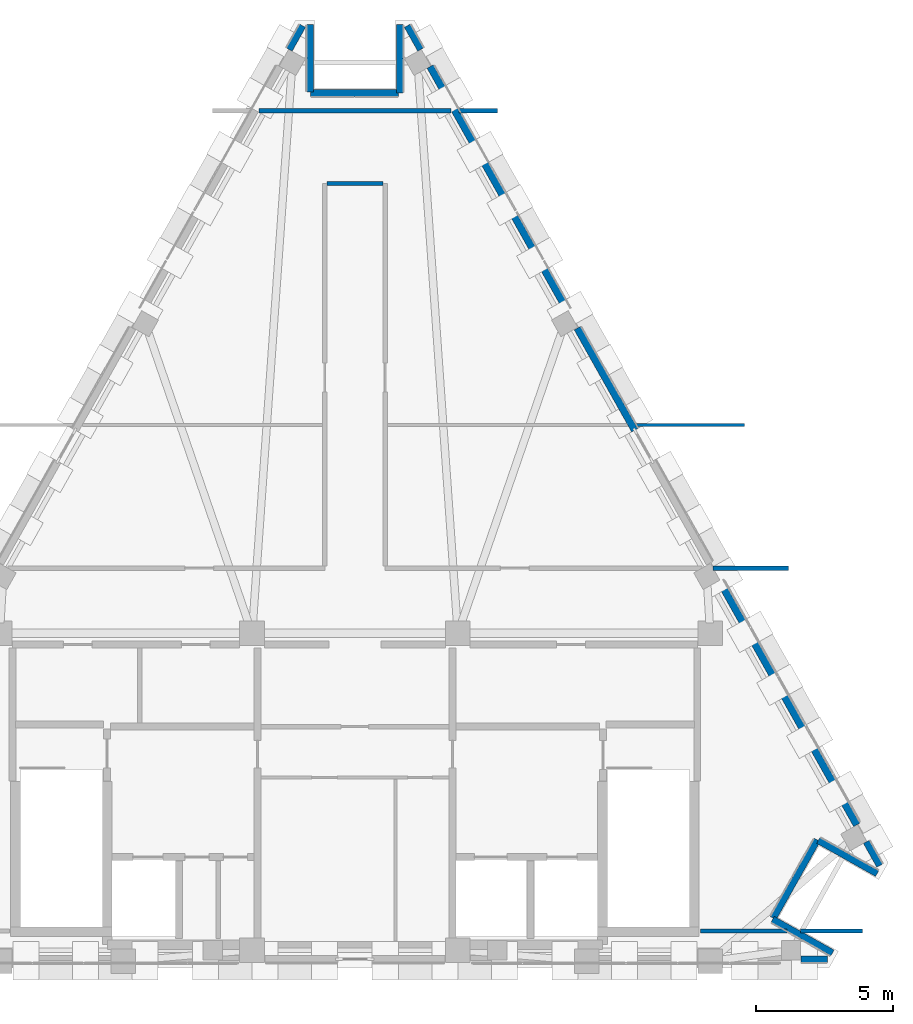
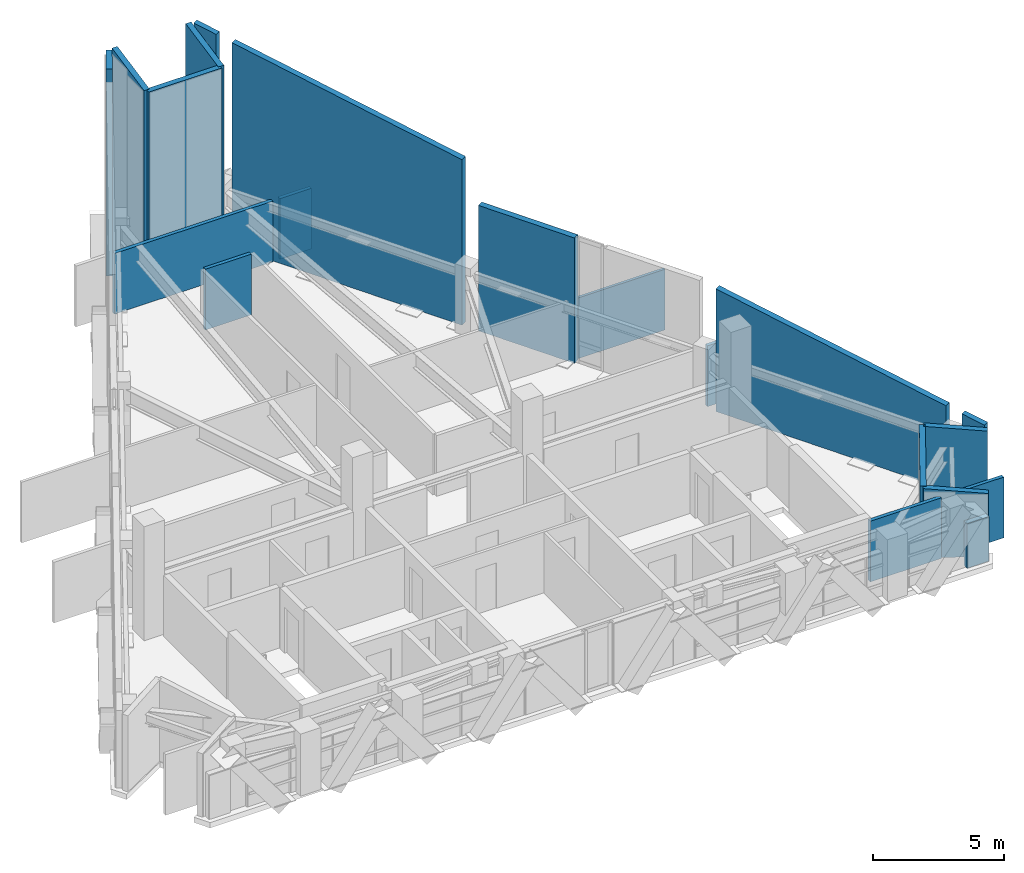
# One storey, part 5 of 7: 20 walls.
"""IFC4 building model written with IfcOpenShell, lengths in metres."""

from ifc_helpers import new_model, si_unit, direction, frame, frame_2d, origin, place, context, subcontext, project, spatial, polyline, rectangle, outline, extrude, material, layer, layer_set, type_object, element, save


model = new_model("IFC4")

# Units and contexts
model_context = context("Model", 3, precision=1e-05, world=origin(), true_north=direction((0.0, 1.0)))
body_context = subcontext(model_context, "Body", "Model", "MODEL_VIEW")
ifc_project = project(units=[si_unit("LENGTHUNIT", "METRE"), si_unit("AREAUNIT", "SQUARE_METRE"), si_unit("VOLUMEUNIT", "CUBIC_METRE"), si_unit("PLANEANGLEUNIT", "RADIAN"), si_unit("MASSUNIT", "GRAM", prefix="KILO")], contexts=[model_context])

# Site, building, storey
site_placement = place(None, origin())
site = spatial("IfcSite", under=ifc_project, at=site_placement, CompositionType="ELEMENT")
building_placement = place(site_placement, origin())
building = spatial("IfcBuilding", under=site, at=building_placement, Name="Quenlor Broadcast Tower", CompositionType="ELEMENT")
storey_placement = place(building_placement, frame((0.0, 0.0, 286.89990234375)))
storey = spatial("IfcBuildingStorey", under=building, at=storey_placement, Name="L80", CompositionType="ELEMENT", Elevation=286.89990234375)

# Walls
ifc_material_1 = material(Name="Gypsum Fireboard Partition", Category="other")
ifc_layer_1 = layer(ifc_material_1, 0.159912109375)
ifc_layer_set_1 = layer_set([ifc_layer_1], Name="Fire Rated Shaft and Corridor Partition 160")
wall_type_1 = type_object("IfcWallType", Name="Fire Rated Shaft and Corridor Partition 160", PredefinedType="PARTITIONING", material=ifc_layer_set_1)
wall_1_placement = place(storey_placement, frame((-3.49755859375, 14.25, 0.0), z_axis=(0.0, 0.0, 1.0), x_axis=(1.0, 0.0, 0.0)))
element("IfcWall", 1, at=wall_1_placement, inside=storey, type_object=wall_type_1, Name="L80 Interior Wall PW-PL-NTOPS2", PredefinedType="PARTITIONING", context=body_context, shape_type="SweptSolid", body=[
    extrude(rectangle(XDim=6.9951171875, YDim=0.159912109375, at=frame_2d((3.49755859375, 0.0))), origin(), (0.0, 0.0, 1.0), 2.8330078125),
])
wall_2_placement = place(storey_placement, frame((3.80029296875, 14.25, 0.0), z_axis=(0.0, 0.0, 1.0), x_axis=(1.0, 0.0, 0.0)))
element("IfcWall", 2, at=wall_2_placement, inside=storey, type_object=wall_type_1, Name="L80 Interior Wall PW-PL-NTOPS3", PredefinedType="PARTITIONING", context=body_context, shape_type="SweptSolid", body=[
    extrude(rectangle(XDim=1.399658203125, YDim=0.159912109375, at=frame_2d((0.69970703125, 0.0))), origin(), (0.0, 0.0, 1.0), 2.8330078125),
])
wall_3_placement = place(storey_placement, frame((12.60009765625, -15.64990234375, 0.0), z_axis=(0.0, 0.0, 1.0), x_axis=(1.0, 0.0, 0.0)))
element("IfcWall", 3, at=wall_3_placement, inside=storey, type_object=wall_type_1, Name="L80 Interior Wall PW-PL-SBOTE", PredefinedType="PARTITIONING", context=body_context, shape_type="SweptSolid", body=[
    extrude(rectangle(XDim=3.142822265625, YDim=0.159912109375, at=frame_2d((1.5712890625, 0.0))), origin(), (0.0, 0.0, 1.0), 2.8330078125),
])
wall_4_placement = place(storey_placement, frame((16.240478515625, -15.64990234375, 0.0), z_axis=(0.0, 0.0, 1.0), x_axis=(1.0, 0.0, 0.0)))
element("IfcWall", 4, at=wall_4_placement, inside=storey, type_object=wall_type_1, Name="L80 Interior Wall PW-PL-SBOTES2", PredefinedType="PARTITIONING", context=body_context, shape_type="SweptSolid", body=[
    extrude(rectangle(XDim=2.259521484375, YDim=0.159912109375, at=frame_2d((1.1298828125, 0.0))), origin(), (0.0, 0.0, 1.0), 2.8330078125),
])
wall_5_placement = place(storey_placement, frame((13.056884765625, -2.419921875, 0.0), z_axis=(0.0, 0.0, 1.0), x_axis=(1.0, 0.0, 0.0)))
element("IfcWall", 5, at=wall_5_placement, inside=storey, type_object=wall_type_1, Name="L80 Interior Wall PW-PL-HES2", PredefinedType="PARTITIONING", context=body_context, shape_type="SweptSolid", body=[
    extrude(rectangle(XDim=2.7431640625, YDim=0.159912109375, at=frame_2d((1.37158203125, 0.0))), origin(), (0.0, 0.0, 1.0), 2.8330078125),
])
wall_6_placement = place(storey_placement, frame((-1.01806640625, 11.60009765625, 0.0), z_axis=(0.0, 0.0, 1.0), x_axis=(1.0, 0.0, 0.0)))
element("IfcWall", 6, at=wall_6_placement, inside=storey, type_object=wall_type_1, Name="L80 Interior Wall PW-PL-N", PredefinedType="PARTITIONING", context=body_context, shape_type="SweptSolid", body=[
    extrude(rectangle(XDim=2.0361328125, YDim=0.159912109375, at=frame_2d((1.01806640625, 0.0))), origin(), (0.0, 0.0, 1.0), 2.8330078125),
])
ifc_material_2 = material(Name="Gypsum Plasterboard Partition", Category="other")
ifc_layer_2 = layer(ifc_material_2, 0.1201171875)
ifc_layer_set_2 = layer_set([ifc_layer_2], Name="Standard Office Partition 120")
wall_type_2 = type_object("IfcWallType", Name="Standard Office Partition 120", PredefinedType="PARTITIONING", material=ifc_layer_set_2)
wall_7_placement = place(storey_placement, frame((10.240966796875, 2.800048828125, 0.0), z_axis=(0.0, 0.0, 1.0), x_axis=(1.0, 0.0, 0.0)))
element("IfcWall", 7, at=wall_7_placement, inside=storey, type_object=wall_type_2, Name="L80 Interior Wall PW-PL-YES2", PredefinedType="PARTITIONING", context=body_context, shape_type="SweptSolid", body=[
    extrude(rectangle(XDim=3.958984375, YDim=0.1201171875, at=frame_2d((1.9794921875, 0.0))), origin(), (0.0, 0.0, 1.0), 2.8330078125),
])
ifc_material_3 = material(Name="Precast concrete C40/50", Category="concrete")
ifc_layer_3 = layer(ifc_material_3, 0.239990234375)
ifc_layer_set_3 = layer_set([ifc_layer_3], Name="Terrace Threshold Precast Concrete C40/50 Wall 240")
wall_type_3 = type_object("IfcWallType", Name="Terrace Threshold Precast Concrete C40/50 Wall 240", PredefinedType="STANDARD", material=ifc_layer_set_3)
wall_8_placement = place(storey_placement, frame((17.219970703125, -16.675048828125, 0.0), z_axis=(0.0, 0.0, 1.0), x_axis=(-1.0, 0.0, 0.0)))
element("IfcWall", 8, at=wall_8_placement, inside=storey, type_object=wall_type_3, Name="L80 Exterior Wall L80-SHD-SS0", PredefinedType="STANDARD", context=body_context, shape_type="SweptSolid", body=[
    extrude(outline(polyline([(0.0, 0.0), (0.96728515625, 0.0), (0.96728515625, 2.080078125), (0.0, 2.080078125), (0.0, 0.0)])), frame((0.0, 0.1201171875, 0.0), z_axis=(0.0, -1.0, 0.0), x_axis=(1.0, 0.0, 0.0)), (0.0, 0.0, 1.0), 0.239990234375),
])
wall_9_placement = place(storey_placement, frame((1.906005859375, 17.348388671875, 0.0), z_axis=(0.0, 0.0, 1.0), x_axis=(0.490261239633, -0.871575537125, 0.0)))
element("IfcWall", 9, at=wall_9_placement, inside=storey, type_object=wall_type_3, Name="L80 Exterior Wall L80-SHD-NES0", PredefinedType="STANDARD", context=body_context, shape_type="SweptSolid", body=[
    extrude(outline(polyline([(0.0, 0.0), (0.994873046875, 0.0), (0.994873046875, 9.661865234375), (0.0, 9.83837890625), (0.0, 0.0)])), frame((0.0, 0.1201171875, 0.0), z_axis=(0.0, -1.0, 0.0), x_axis=(1.0, 0.0, 0.0)), (0.0, 0.0, 1.0), 0.239990234375),
])
wall_10_placement = place(storey_placement, frame((18.639404296875, -12.39990234375, 0.0), z_axis=(0.0, 0.0, 1.0), x_axis=(0.490261239633, -0.871575537125, 0.0)))
element("IfcWall", 10, at=wall_10_placement, inside=storey, type_object=wall_type_3, Name="L80 Exterior Wall L80-SHD-NES1", PredefinedType="STANDARD", context=body_context, shape_type="SweptSolid", body=[
    extrude(outline(polyline([(0.0, 0.0), (0.994873046875, 0.0), (0.994873046875, 3.609619140625), (0.0, 3.785888671875), (0.0, 0.0)])), frame((0.0, 0.1201171875, 0.0), z_axis=(0.0, -1.0, 0.0), x_axis=(1.0, 0.0, 0.0)), (0.0, 0.0, 1.0), 0.239990234375),
])
wall_11_placement = place(storey_placement, frame((-2.393798828125, 16.481201171875, 0.0), z_axis=(0.0, 0.0, 1.0), x_axis=(0.490261239633, 0.871575537125, 0.0)))
element("IfcWall", 11, at=wall_11_placement, inside=storey, type_object=wall_type_3, Name="L80 Exterior Wall L80-SHD-NWS1", PredefinedType="STANDARD", context=body_context, shape_type="SweptSolid", body=[
    extrude(outline(polyline([(0.0, 0.0), (0.994873046875, 0.0), (0.994873046875, 9.83837890625), (0.0, 9.661865234375), (0.0, 0.0)])), frame((0.0, 0.1201171875, 0.0), z_axis=(0.0, -1.0, 0.0), x_axis=(1.0, 0.0, 0.0)), (0.0, 0.0, 1.0), 0.239990234375),
])
ifc_material_4 = material(Name="Precast concrete C40/50", Category="concrete")
ifc_layer_4 = layer(ifc_material_4, 0.260009765625)
ifc_layer_set_4 = layer_set([ifc_layer_4], Name="Terracotta Precast Concrete C40/50 Upper Wall 260")
wall_type_4 = type_object("IfcWallType", Name="Terracotta Precast Concrete C40/50 Upper Wall 260", PredefinedType="STANDARD", material=ifc_layer_set_4)
wall_12_placement = place(storey_placement, frame((2.741943359375, 15.862548828125, 0.0), z_axis=(0.0, 0.0, 1.0), x_axis=(0.490260105081, -0.871576175309, 0.0)))
element("IfcWall", 12, at=wall_12_placement, inside=storey, type_object=wall_type_4, Name="L80 Exterior Wall L80-EW-NEA", PredefinedType="STANDARD", context=body_context, shape_type="SweptSolid", body=[
    extrude(outline(polyline([(0.0, 0.0), (10.216552734375, 0.0), (10.216552734375, 7.724365234375), (0.0, 9.5361328125), (0.0, 0.0)])), frame((0.0, 0.1298828125, 0.0), z_axis=(0.0, -1.0, 0.0), x_axis=(1.0, 0.0, 0.0)), (0.0, 0.0, 1.0), 0.260009765625),
])
wall_13_placement = place(storey_placement, frame((13.28271484375, -2.876708984375, 0.0), z_axis=(0.0, 0.0, 1.0), x_axis=(0.490270316201, -0.871570431492, 0.0)))
element("IfcWall", 13, at=wall_13_placement, inside=storey, type_object=wall_type_4, Name="L80 Exterior Wall L80-EW-NEC", PredefinedType="STANDARD", context=body_context, shape_type="SweptSolid", body=[
    extrude(outline(polyline([(0.0, 0.0), (10.21630859375, 0.0), (10.216552734375, 3.911865234375), (0.0, 5.723388671875), (0.0, 0.0)])), frame((0.0, 0.1298828125, 0.0), z_axis=(0.0, -1.0, 0.0), x_axis=(1.0, 0.0, 0.0)), (0.0, 0.0, 1.0), 0.260009765625),
])
wall_14_placement = place(storey_placement, frame((8.106201171875, 6.326171875, 0.0), z_axis=(0.0, 0.0, 1.0), x_axis=(0.490234089962, -0.871590808258, 0.0)))
element("IfcWall", 14, at=wall_14_placement, inside=storey, type_object=wall_type_4, Name="L80 Exterior Wall L80-NE-SP1", PredefinedType="STANDARD", context=body_context, shape_type="SweptSolid", body=[
    extrude(rectangle(XDim=4.26953125, YDim=0.260009765625, at=frame_2d((2.134765625, 0.0))), origin(), (0.0, 0.0, 1.0), 5.85205078125),
])
wall_15_placement = place(storey_placement, frame((17.40771484375, -16.446533203125, 0.0), z_axis=(0.0, 0.0, 1.0), x_axis=(-0.871588577066, 0.490238056792, 0.0)))
element("IfcWall", 15, at=wall_15_placement, inside=storey, type_object=wall_type_4, Name="L80 Exterior Wall L80-CNR-01", PredefinedType="STANDARD", context=body_context, shape_type="SweptSolid", body=[
    extrude(outline(polyline([(0.0, 0.0), (2.5, 0.0), (2.5, 3.212158203125), (0.0, 2.962646484375), (0.0, 0.0)])), frame((0.0, 0.1201171875, 0.0), z_axis=(0.0, -1.0, 0.0), x_axis=(1.0, 0.0, 0.0)), (0.0, 0.0, 1.0), 0.239990234375),
])
wall_16_placement = place(storey_placement, frame((15.248291015625, -15.18603515625, 0.0), z_axis=(0.0, 0.0, 1.0), x_axis=(0.490293083368, 0.871557624258, 0.0)))
element("IfcWall", 16, at=wall_16_placement, inside=storey, type_object=wall_type_4, Name="L80 Exterior Wall L80-CNR-02", PredefinedType="STANDARD", context=body_context, shape_type="SweptSolid", body=[
    extrude(outline(polyline([(0.0, 0.0), (3.276123046875, 0.0), (3.27587890625, 3.800048828125), (0.0, 3.21923828125), (0.0, 0.0)])), frame((0.0, 0.1201171875, 0.0), z_axis=(0.0, -1.0, 0.0), x_axis=(1.0, 0.0, 0.0)), (0.0, 0.0, 1.0), 0.239990234375),
])
wall_17_placement = place(storey_placement, frame((16.889404296875, -12.350341796875, 0.0), z_axis=(0.0, 0.0, 1.0), x_axis=(0.87157023615, -0.490270663468, 0.0)))
element("IfcWall", 17, at=wall_17_placement, inside=storey, type_object=wall_type_4, Name="L80 Exterior Wall L80-CNR-03", PredefinedType="STANDARD", context=body_context, shape_type="SweptSolid", body=[
    extrude(outline(polyline([(0.0, 0.0), (2.4599609375, 0.0), (2.4599609375, 3.55078125), (0.0, 3.796142578125), (0.0, 0.0)])), frame((0.0, 0.1201171875, 0.0), z_axis=(0.0, -1.0, 0.0), x_axis=(1.0, 0.0, 0.0)), (0.0, 0.0, 1.0), 0.239990234375),
])
wall_18_placement = place(storey_placement, frame((1.62890625, 17.39990234375, 0.0), z_axis=(0.0, 0.0, 1.0), x_axis=(0.0, -1.0, 0.0)))
element("IfcWall", 18, at=wall_18_placement, inside=storey, type_object=wall_type_4, Name="L80 Exterior Wall L80-CNR-07", PredefinedType="STANDARD", context=body_context, shape_type="SweptSolid", body=[
    extrude(outline(polyline([(0.0, 0.0), (2.5, 0.0), (2.5, 9.340087890625), (0.0, 9.848876953125), (0.0, 0.0)])), frame((0.0, 0.1201171875, 0.0), z_axis=(0.0, -1.0, 0.0), x_axis=(1.0, 0.0, 0.0)), (0.0, 0.0, 1.0), 0.239990234375),
])
wall_19_placement = place(storey_placement, frame((1.5888671875, 14.89990234375, 0.0), z_axis=(0.0, 0.0, 1.0), x_axis=(-1.0, 0.0, 0.0)))
element("IfcWall", 19, at=wall_19_placement, inside=storey, type_object=wall_type_4, Name="L80 Exterior Wall L80-CNR-08", PredefinedType="STANDARD", context=body_context, shape_type="SweptSolid", body=[
    extrude(outline(polyline([(0.0, 0.0), (3.2177734375, 0.0), (3.217529296875, 9.340087890625), (0.0, 9.340087890625), (0.0, 0.0)])), frame((0.0, 0.1201171875, 0.0), z_axis=(0.0, -1.0, 0.0), x_axis=(1.0, 0.0, 0.0)), (0.0, 0.0, 1.0), 0.239990234375),
])
wall_20_placement = place(storey_placement, frame((-1.62890625, 14.93994140625, 0.0), z_axis=(0.0, 0.0, 1.0), x_axis=(0.0, 1.0, 0.0)))
element("IfcWall", 20, at=wall_20_placement, inside=storey, type_object=wall_type_4, Name="L80 Exterior Wall L80-CNR-09", PredefinedType="STANDARD", context=body_context, shape_type="SweptSolid", body=[
    extrude(outline(polyline([(0.0, 0.0), (2.4599609375, 0.0), (2.4599609375, 9.848876953125), (0.0, 9.348388671875), (0.0, 0.0)])), frame((0.0, 0.1201171875, 0.0), z_axis=(0.0, -1.0, 0.0), x_axis=(1.0, 0.0, 0.0)), (0.0, 0.0, 1.0), 0.239990234375),
])

save(model, "model.ifc")
